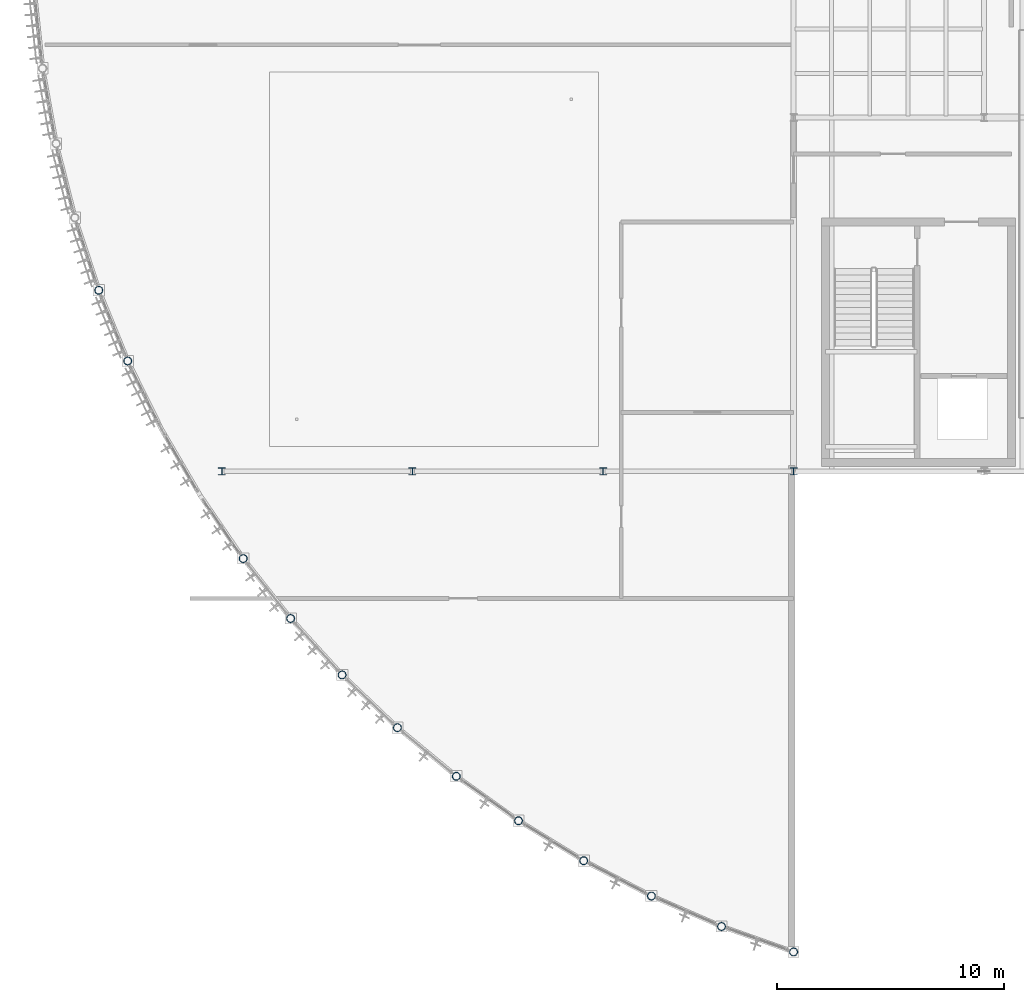
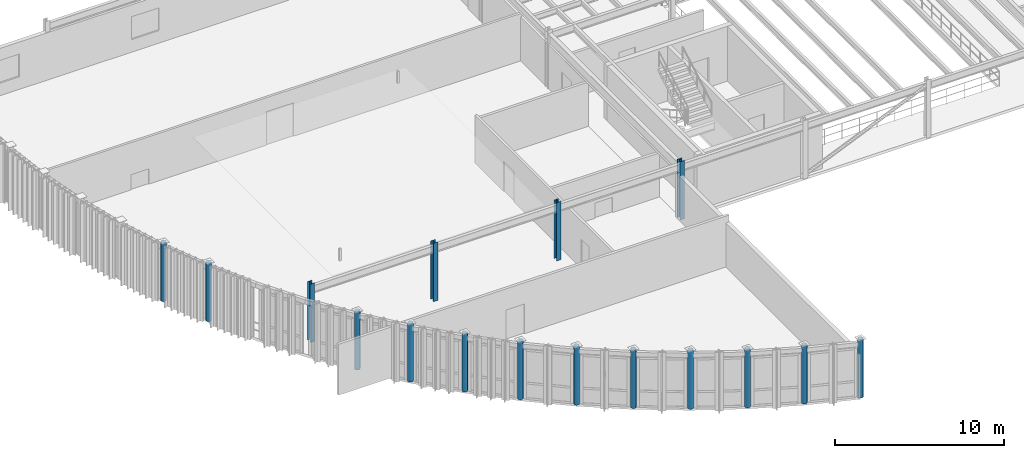
# One storey, part 1 of 26: 16 columns.
"""IFC4 building model written with IfcOpenShell, lengths in metres."""

from ifc_helpers import new_model, si_unit, direction, frame, origin, origin_2d, place, context, subcontext, project, spatial, hollow_circle, i_section, extrude, material, material_profile, profile_set, type_object, element, save


model = new_model("IFC4")

# Units and contexts
model_context = context("Model", 3, precision=1e-05, world=origin(), true_north=direction((0.0, 1.0)))
body_context = subcontext(model_context, "Body", "Model", "MODEL_VIEW")
ifc_project = project(units=[si_unit("LENGTHUNIT", "METRE"), si_unit("AREAUNIT", "SQUARE_METRE"), si_unit("VOLUMEUNIT", "CUBIC_METRE"), si_unit("PLANEANGLEUNIT", "RADIAN"), si_unit("MASSUNIT", "GRAM", prefix="KILO")], contexts=[model_context])

# Site, building, storey
site_placement = place(None, origin())
site = spatial("IfcSite", under=ifc_project, at=site_placement, CompositionType="ELEMENT")
building_placement = place(site_placement, origin())
building = spatial("IfcBuilding", under=site, at=building_placement, Name="Selat Folded Stagehouse", CompositionType="ELEMENT")
storey_placement = place(building_placement, frame((0.0, 0.0, 23.39990234375)))
storey = spatial("IfcBuildingStorey", under=building, at=storey_placement, Name="L05", CompositionType="ELEMENT", Elevation=23.39990234375)

# Columns
ifc_material = material(Name="Steel S355", Category="steel")
ifc_material_profile_1 = material_profile(ifc_material, hollow_circle(Radius=0.177734375, WallThickness=0.01611328125, at=origin_2d()), Name="CHS 355.6x16.0")
ifc_profile_set_1 = profile_set([ifc_material_profile_1], Name="Steel S355")
column_type_1 = type_object("IfcColumnType", Name="COL-CHS-355x16", PredefinedType="COLUMN", material=ifc_profile_set_1)
for number, where, z_axis, x_axis, name in (
    (1, (2.967529296875, 31.38427734375, 0.0), (0.0, 0.0, 1.0), (1.0, 0.0, 0.0), "L05 column STK-DRM-07"),
    (2, (4.243896484375, 28.266357421875, 0.0), (0.0, 0.0, 1.0), (1.0, 0.0, 0.0), "L05 column STK-DRM-08"),
    (3, (9.336181640625, 19.55517578125, 0.0), (0.0, 0.0, 1.0), (1.0, 0.0, 0.0), "L05 column STK-DRM-11"),
    (4, (11.4267578125, 16.9130859375, 0.0), (0.0, 0.0, 1.0), (1.0, 0.0, 0.0), "L05 column STK-DRM-12"),
    (5, (13.697509765625, 14.42431640625, 0.0), (0.0, 0.0, 1.0), (1.0, 0.0, 0.0), "L05 column STK-DRM-13"),
    (6, (16.136962890625, 12.100830078125, 0.0), (0.0, 0.0, 1.0), (1.0, 0.0, 0.0), "L05 column STK-DRM-14"),
    (7, (18.733642578125, 9.954345703125, 0.0), (0.0, 0.0, 1.0), (1.0, 0.0, 0.0), "L05 column STK-DRM-15"),
    (8, (21.474365234375, 7.9951171875, 0.0), (0.0, 0.0, 1.0), (1.0, 0.0, 0.0), "L05 column STK-DRM-16"),
    (9, (24.345703125, 6.23291015625, 0.0), (0.0, 0.0, 1.0), (1.0, 0.0, 0.0), "L05 column STK-DRM-17"),
    (10, (27.333740234375, 4.6767578125, 0.0), (0.0, 0.0, 1.0), (1.0, 0.0, 0.0), "L05 column STK-DRM-18"),
    (11, (30.423583984375, 3.333740234375, 0.0), (0.0, 0.0, 1.0), (1.0, 0.0, 0.0), "L05 column STK-DRM-19"),
    (12, (33.60009765625, 2.2109375, 0.0), (0.0, 0.0, 1.0), (1.0, 0.0, 0.0), "L05 column STK-DRM-20"),
):
    element("IfcColumn", number, at=place(storey_placement, frame(where, z_axis=z_axis, x_axis=x_axis)), inside=storey, type_object=column_type_1, Name=name, PredefinedType="COLUMN", context=body_context, shape_type="SweptSolid", body=[
        extrude(hollow_circle(Radius=0.177734375, WallThickness=0.01611328125, at=origin_2d()), origin(), (0.0, 0.0, 1.0), 4.2001953125),
    ])
ifc_material_profile_2 = material_profile(ifc_material, i_section(OverallWidth=0.30908203125, OverallDepth=0.320556640625, WebThickness=0.013916015625, FlangeThickness=0.021728515625, FilletRadius=0.01513671875, at=origin_2d()), Name="UKC 305x305x137")
ifc_profile_set_2 = profile_set([ifc_material_profile_2], Name="Steel S355")
column_type_2 = type_object("IfcColumnType", Name="COL-UKC-305x305x137", PredefinedType="COLUMN", material=ifc_profile_set_2)
for number, where, z_axis, x_axis, name in (
    (13, (8.39990234375, 23.39990234375, 0.0), (0.0, 0.0, 1.0), (1.0, 0.0, 0.0), "L05 column STK-V2-00"),
    (14, (16.800048828125, 23.39990234375, 0.0), (0.0, 0.0, 1.0), (1.0, 0.0, 0.0), "L05 column STK-V2-01"),
    (15, (25.199951171875, 23.39990234375, 0.0), (0.0, 0.0, 1.0), (1.0, 0.0, 0.0), "L05 column STK-V2-02"),
    (16, (33.60009765625, 23.39990234375, 0.0), (0.0, 0.0, 1.0), (1.0, 0.0, 0.0), "L05 column STK-V2-07"),
):
    element("IfcColumn", number, at=place(storey_placement, frame(where, z_axis=z_axis, x_axis=x_axis)), inside=storey, type_object=column_type_2, Name=name, PredefinedType="COLUMN", context=body_context, shape_type="SweptSolid", body=[
        extrude(i_section(OverallWidth=0.30908203125, OverallDepth=0.320556640625, WebThickness=0.013916015625, FlangeThickness=0.021728515625, FilletRadius=0.01513671875, at=origin_2d()), origin(), (0.0, 0.0, 1.0), 4.2001953125),
    ])

save(model, "model.ifc")
